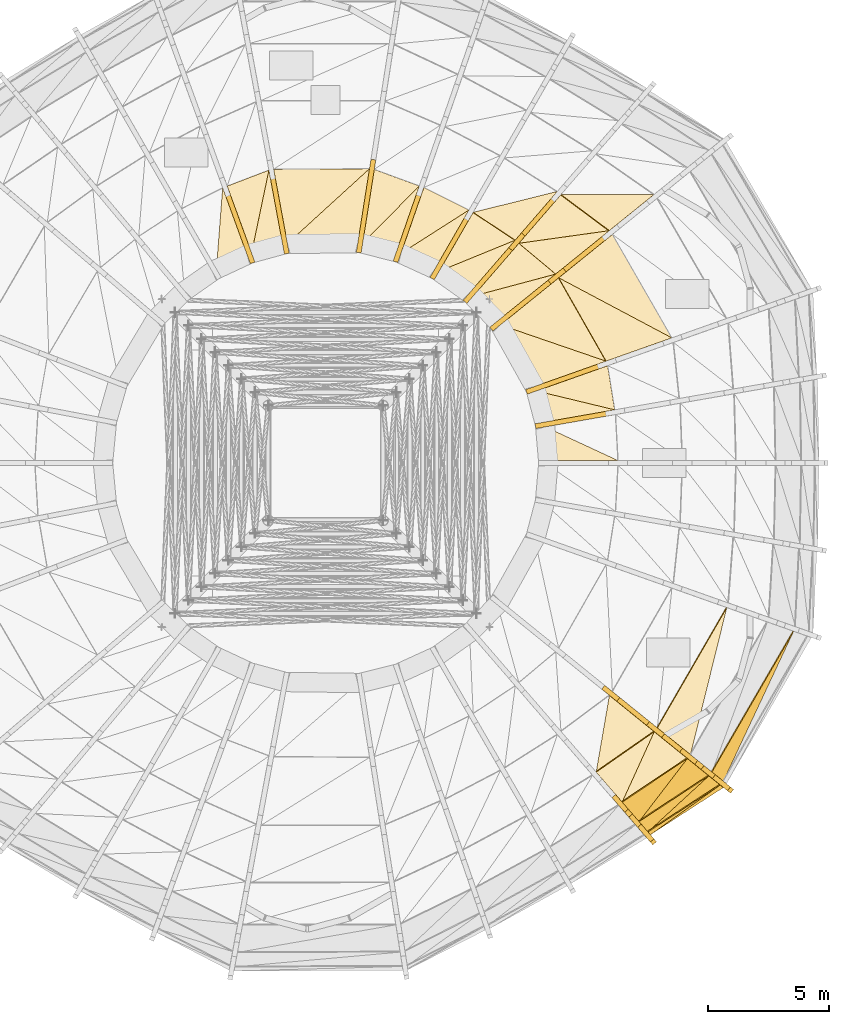
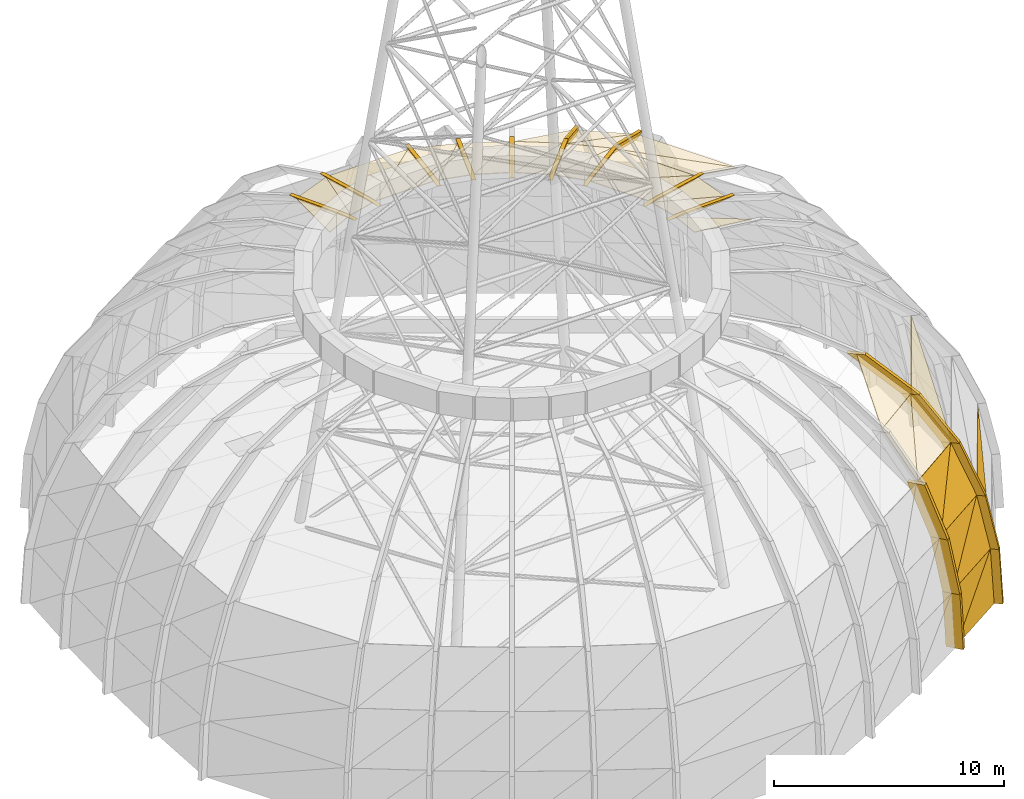
# One storey, part 22 of 27: 35 coverings, 19 shading devices.
"""IFC4 building model written with IfcOpenShell, lengths in metres."""

from ifc_helpers import new_model, si_unit, direction, frame, origin, place, context, subcontext, project, spatial, polyline, outline, extrude, material, layer, layer_set, type_object, element, save


model = new_model("IFC4")

# Units and contexts
model_context = context("Model", 3, precision=1e-05, world=origin(), true_north=direction((0.0, 1.0)))
body_context = subcontext(model_context, "Body", "Model", "MODEL_VIEW")
ifc_project = project(units=[si_unit("LENGTHUNIT", "METRE"), si_unit("AREAUNIT", "SQUARE_METRE"), si_unit("VOLUMEUNIT", "CUBIC_METRE"), si_unit("PLANEANGLEUNIT", "RADIAN"), si_unit("MASSUNIT", "GRAM", prefix="KILO")], contexts=[model_context])

# Site, building, storey
site_placement = place(None, origin())
site = spatial("IfcSite", under=ifc_project, at=site_placement, CompositionType="ELEMENT")
building_placement = place(site_placement, origin())
building = spatial("IfcBuilding", under=site, at=building_placement, Name="Ayvan Gate Tower", CompositionType="ELEMENT")
storey_placement = place(building_placement, frame((0.0, 0.0, 267.699951171875)))
storey = spatial("IfcBuildingStorey", under=building, at=storey_placement, Name="Roof", CompositionType="ELEMENT", Elevation=267.699951171875)

# Shading devices
ifc_material_1 = material(Name="Bronze anodised aluminium", Category="aluminium")
ifc_layer_1 = layer(ifc_material_1, 0.199951171875)
ifc_layer_set_1 = layer_set([ifc_layer_1], Name="Bronze anodised aluminium")
shading_device_type = type_object("IfcShadingDeviceType", Name="Crown frame rib 800 x 200", PredefinedType="USERDEFINED", material=ifc_layer_set_1)
shading_device_1_placement = place(storey_placement, frame((-2.074951171875, 11.738037109375, 13.673095703125), z_axis=(0.983259217246, 0.182186763717, 0.003048741765), x_axis=(-0.18218761042, 0.98326378689, 0.0)))
element("IfcShadingDevice", 1, at=shading_device_1_placement, inside=storey, type_object=shading_device_type, Name="CROWN FRAME rib FD07.3.1", ObjectType="FIN", PredefinedType="USERDEFINED", context=body_context, shape_type="SweptSolid", body=[
    extrude(outline(polyline([(0.0, 0.0), (0.8000102355421451, -5.421010862427522e-20), (-2.3196463779564205, 0.32690581614492714), (-3.1196566134985657, 0.32690581614492714), (0.0, 0.0)])), origin(), (0.0, 0.0, -1.0), 0.199951171875),
])
shading_device_2_placement = place(storey_placement, frame((-3.928955078125, 11.060791015625, 13.673095703125), z_axis=(0.93941746158, 0.342743927665, 0.004629570927), x_axis=(-0.342747600727, 0.939427528975, 0.0)))
element("IfcShadingDevice", 2, at=shading_device_2_placement, inside=storey, type_object=shading_device_type, Name="CROWN FRAME rib FD07.3.2", ObjectType="FIN", PredefinedType="USERDEFINED", context=body_context, shape_type="SweptSolid", body=[
    extrude(outline(polyline([(0.0, 0.0), (0.7999178441897365, -2.168404344971009e-19), (-2.13749984010104, 0.3269078001892757), (-2.937417684290776, 0.3269078001892757), (0.0, 0.0)])), origin(), (0.0, 0.0, -1.0), 0.199951171875),
])
shading_device_3_placement = place(storey_placement, frame((12.989501953125, -15.171142578125, 0.0), z_axis=(-0.756373278401, -0.65414005336, 0.000504292186), x_axis=(0.654140136535, -0.756373374581, -7.868e-09)))
element("IfcShadingDevice", 3, at=shading_device_3_placement, inside=storey, type_object=shading_device_type, Name="CROWN FRAME rib FD01.6.4", ObjectType="FIN", PredefinedType="USERDEFINED", context=body_context, shape_type="SweptSolid", body=[
    extrude(outline(polyline([(0.0, 0.0), (0.7998328942393694, 5.421010862427522e-20), (0.6432570081718851, 2.870117557512084), (-0.15692024971765892, 2.8701175449226013), (0.0, 0.0)])), origin(), (0.0, 0.0, -1.0), 0.199951171875),
])
shading_device_4_placement = place(storey_placement, frame((12.886962890625, -15.052490234375, 2.8701171875), z_axis=(-0.756514050291, -0.653977252833, 0.000494457556), x_axis=(0.653977332778, -0.756514142771, 0.0)))
element("IfcShadingDevice", 4, at=shading_device_4_placement, inside=storey, type_object=shading_device_type, Name="CROWN FRAME rib FD02.6.4", ObjectType="FIN", PredefinedType="USERDEFINED", context=body_context, shape_type="SweptSolid", body=[
    extrude(outline(polyline([(0.0, 0.0), (0.8000175742364785, -2.710505431213761e-20), (0.24032087193200036, 2.7768558082043633), (-0.5596967023044781, 2.7768558082043633), (0.0, 0.0)])), origin(), (0.0, 0.0, -1.0), 0.199951171875),
])
shading_device_5_placement = place(storey_placement, frame((12.520751953125, -14.629150390625, 5.64697265625), z_axis=(-0.756297768107, -0.654227320888, 0.000546407095), x_axis=(0.654227418529, -0.756297881027, -5.4534e-08)))
element("IfcShadingDevice", 5, at=shading_device_5_placement, inside=storey, type_object=shading_device_type, Name="CROWN FRAME rib FD03.6.4", ObjectType="FIN", PredefinedType="USERDEFINED", context=body_context, shape_type="SweptSolid", body=[
    extrude(outline(polyline([(0.0, 0.0), (0.8001772540015586, 0.0), (-0.2621558601697351, 2.6601566328127078), (-1.0621484711339337, 2.6601565455487286), (0.0, 0.0)])), origin(), (0.0, 0.0, -1.0), 0.199951171875),
])
shading_device_6_placement = place(storey_placement, frame((16.104736328125, -13.1416015625, 0.0), z_axis=(-0.628464871118, -0.777837803584, 0.000507037056), x_axis=(0.777837903589, -0.628464951879, 6.0181e-08)))
element("IfcShadingDevice", 6, at=shading_device_6_placement, inside=storey, type_object=shading_device_type, Name="CROWN FRAME rib FD01.6.5", ObjectType="FIN", PredefinedType="USERDEFINED", context=body_context, shape_type="SweptSolid", body=[
    extrude(outline(polyline([(0.0, 0.0), (0.7999800176189474, 0.0), (0.6319018337341318, 2.870117518405865), (-0.16823161771095818, 2.8701176147023646), (0.0, 0.0)])), origin(), (0.0, 0.0, -1.0), 0.199951171875),
])
shading_device_7_placement = place(storey_placement, frame((15.973876953125, -13.035888671875, 2.8701171875), z_axis=(-0.628557153253, -0.777763195942, 0.00056225702), x_axis=(0.77776331888, -0.628557252606, 0.0)))
element("IfcShadingDevice", 7, at=shading_device_7_placement, inside=storey, type_object=shading_device_type, Name="CROWN FRAME rib FD02.6.5", ObjectType="FIN", PredefinedType="USERDEFINED", context=body_context, shape_type="SweptSolid", body=[
    extrude(outline(polyline([(0.0, 0.0), (0.8001334570789522, 2.710505431213761e-20), (0.19963480606936765, 2.7768559076778687), (-0.6004986510095845, 2.7768559076778687), (0.0, 0.0)])), origin(), (0.0, 0.0, -1.0), 0.199951171875),
])
shading_device_8_placement = place(storey_placement, frame((15.5068359375, -12.658447265625, 5.64697265625), z_axis=(-0.628464849032, -0.777837776248, 0.000572163919), x_axis=(0.777837903545, -0.628464951933, -6.7898e-08)))
element("IfcShadingDevice", 8, at=shading_device_8_placement, inside=storey, type_object=shading_device_type, Name="CROWN FRAME rib FD03.6.5", ObjectType="FIN", PredefinedType="USERDEFINED", context=body_context, shape_type="SweptSolid", body=[
    extrude(outline(polyline([(0.0, 0.0), (0.8001334514450962, 8.131516293641283e-20), (-0.33958268862008534, 2.660156662372854), (-1.1395627062390257, 2.6601565537282954), (0.0, 0.0)])), origin(), (0.0, 0.0, -1.0), 0.199951171875),
])
shading_device_9_placement = place(storey_placement, frame((14.620361328125, -11.942138671875, 8.30712890625), z_axis=(-0.628631768275, -0.777702942451, 0.000482926444), x_axis=(0.777703033152, -0.628631841562, 4.6315e-08)))
element("IfcShadingDevice", 9, at=shading_device_9_placement, inside=storey, type_object=shading_device_type, Name="CROWN FRAME rib FD04.6.5", ObjectType="FIN", PredefinedType="USERDEFINED", context=body_context, shape_type="SweptSolid", body=[
    extrude(outline(polyline([(0.0, 0.0), (0.8001334533991852, 2.710505431213761e-20), (-0.957459157067815, 2.3798831343608073), (-1.7574027415624218, 2.379883208468942), (0.0, 0.0)])), origin(), (0.0, 0.0, -1.0), 0.199951171875),
])
shading_device_10_placement = place(storey_placement, frame((13.25341796875, -10.837646484375, 10.68701171875), z_axis=(-0.628372342371, -0.777912142158, 0.000947852982), x_axis=(0.777912491607, -0.628372624644, 0.0)))
element("IfcShadingDevice", 10, at=shading_device_10_placement, inside=storey, type_object=shading_device_type, Name="CROWN FRAME rib FD05.6.5", ObjectType="FIN", PredefinedType="USERDEFINED", context=body_context, shape_type="SweptSolid", body=[
    extrude(outline(polyline([(0.0, 0.0), (0.7999800232538845, 5.421010862427522e-20), (-1.580675227188827, 1.8659676350914318), (-2.3806552504427114, 1.8659676350914318), (0.0, 0.0)])), origin(), (0.0, 0.0, -1.0), 0.199951171875),
])
shading_device_11_placement = place(storey_placement, frame((11.578125, 1.930908203125, 13.673095703125), z_axis=(0.172756849107, -0.9849582192, 0.003518169523), x_axis=(0.984964314925, 0.172757918267, 0.0)))
element("IfcShadingDevice", 11, at=shading_device_11_placement, inside=storey, type_object=shading_device_type, Name="CROWN FRAME rib FD07.1.4", ObjectType="FIN", PredefinedType="USERDEFINED", context=body_context, shape_type="SweptSolid", body=[
    extrude(outline(polyline([(0.0, 0.0), (0.7998683657233193, 0.0), (-2.1376553117618204, 0.3269063200254933), (-2.937523677485139, 0.3269063200254933), (0.0, 0.0)])), origin(), (0.0, 0.0, -1.0), 0.199951171875),
])
shading_device_12_placement = place(storey_placement, frame((11.26953125, 3.8837890625, 13.673095703125), z_axis=(0.333569194693, -0.942722088203, 0.002580070804), x_axis=(0.942725225959, 0.333570304944, 0.0)))
element("IfcShadingDevice", 12, at=shading_device_12_placement, inside=storey, type_object=shading_device_type, Name="CROWN FRAME rib FD07.1.5", ObjectType="FIN", PredefinedType="USERDEFINED", context=body_context, shape_type="SweptSolid", body=[
    extrude(outline(polyline([(0.0, 0.0), (0.7999683999734712, 1.0842021724855044e-19), (-2.3195840233383764, 0.3269053849430311), (-3.119552423311848, 0.3269053849430311), (0.0, 0.0)])), origin(), (0.0, 0.0, -1.0), 0.199951171875),
])
shading_device_13_placement = place(storey_placement, frame((11.52734375, 9.18603515625, 12.552978515625), z_axis=(0.62846447897, -0.77783731823, 0.001226801195), x_axis=(0.777837903682, 0.628464951764, -1.45611e-07)))
element("IfcShadingDevice", 13, at=shading_device_13_placement, inside=storey, type_object=shading_device_type, Name="CROWN FRAME rib FD06.2.1", ObjectType="FIN", PredefinedType="USERDEFINED", context=body_context, shape_type="SweptSolid", body=[
    extrude(outline(polyline([(0.0, 0.0), (0.7999800176189547, 0.0), (-2.0497218643603863, 1.1201177319501376), (-2.8498553158054554, 1.1201174989560017), (0.0, 0.0)])), origin(), (0.0, 0.0, -1.0), 0.199951171875),
])
shading_device_14_placement = place(storey_placement, frame((9.310791015625, 7.394775390625, 13.673095703125), z_axis=(0.628619203707, -0.777687398373, 0.006340910263), x_axis=(0.777703035562, 0.62863183858, -6.08117e-07)))
element("IfcShadingDevice", 14, at=shading_device_14_placement, inside=storey, type_object=shading_device_type, Name="CROWN FRAME rib FD07.2.1", ObjectType="FIN", PredefinedType="USERDEFINED", context=body_context, shape_type="SweptSolid", body=[
    extrude(outline(polyline([(0.0, 0.0), (0.8001334533993323, -4.336808689942018e-19), (-2.2896650801358933, 0.32690947660574426), (-3.089608664630059, 0.3269085035527286), (0.0, 0.0)])), origin(), (0.0, 0.0, -1.0), 0.199951171875),
])
shading_device_15_placement = place(storey_placement, frame((9.453857421875, 10.77783203125, 12.552978515625), z_axis=(0.756382760295, -0.654127625227, 0.001473038651), x_axis=(0.654128334905, 0.756383580912, 0.0)))
element("IfcShadingDevice", 15, at=shading_device_15_placement, inside=storey, type_object=shading_device_type, Name="CROWN FRAME rib FD06.2.2", ObjectType="FIN", PredefinedType="USERDEFINED", context=body_context, shape_type="SweptSolid", body=[
    extrude(outline(polyline([(0.0, 0.0), (0.7998328943367281, -1.0842021724855044e-19), (-1.8564065964349703, 1.1201184027411222), (-2.6562394907716986, 1.1201184027411222), (0.0, 0.0)])), origin(), (0.0, 0.0, -1.0), 0.199951171875),
])
shading_device_16_placement = place(storey_placement, frame((7.716064453125, 8.7685546875, 13.673095703125), z_axis=(0.756291949991, -0.654222287989, 0.003960338117), x_axis=(0.654227417367, 0.756297882031, 3.95259e-07)))
element("IfcShadingDevice", 16, at=shading_device_16_placement, inside=storey, type_object=shading_device_type, Name="CROWN FRAME rib FD07.2.2", ObjectType="FIN", PredefinedType="USERDEFINED", context=body_context, shape_type="SweptSolid", body=[
    extrude(outline(polyline([(0.0, 0.0), (0.8001772540016201, -2.168404344971009e-19), (-2.0796942968272427, 0.3269076825578629), (-2.8796869077912577, 0.3269083150439096), (0.0, 0.0)])), origin(), (0.0, 0.0, -1.0), 0.199951171875),
])
shading_device_17_placement = place(storey_placement, frame((5.890625, 10.0029296875, 13.673095703125), z_axis=(0.866080811054, -0.499873279953, 0.005543709227), x_axis=(0.499880961361, 0.866094119867, 0.0)))
element("IfcShadingDevice", 17, at=shading_device_17_placement, inside=storey, type_object=shading_device_type, Name="CROWN FRAME rib FD07.2.3", ObjectType="FIN", PredefinedType="USERDEFINED", context=body_context, shape_type="SweptSolid", body=[
    extrude(outline(polyline([(0.0, 0.0), (0.7999951481672026, 0.0), (-2.0080810381689798, 0.3269093203185916), (-2.8080761863361827, 0.3269093203185916), (0.0, 0.0)])), origin(), (0.0, 0.0, -1.0), 0.199951171875),
])
shading_device_18_placement = place(storey_placement, frame((3.924560546875, 11.001220703125, 13.673095703125), z_axis=(0.944651832563, -0.328057089325, 0.003385465747), x_axis=(0.328058969876, 0.944657245928, -1.6949e-07)))
element("IfcShadingDevice", 18, at=shading_device_18_placement, inside=storey, type_object=shading_device_type, Name="CROWN FRAME rib FD07.2.4", ObjectType="FIN", PredefinedType="USERDEFINED", context=body_context, shape_type="SweptSolid", body=[
    extrude(outline(polyline([(0.0, 0.0), (0.7998968673738274, 1.0842021724855044e-19), (-2.0798216514562773, 0.32690581776716443), (-2.879949148040536, 0.3269055465775857), (0.0, 0.0)])), origin(), (0.0, 0.0, -1.0), 0.199951171875),
])
shading_device_19_placement = place(storey_placement, frame((1.9462890625, 11.729736328125, 13.673095703125), z_axis=(0.987831975323, -0.155483593274, 0.00358339941), x_axis=(0.155484589634, 0.987838317938, 5.40134e-07)))
element("IfcShadingDevice", 19, at=shading_device_19_placement, inside=storey, type_object=shading_device_type, Name="CROWN FRAME rib FD07.2.5", ObjectType="FIN", PredefinedType="USERDEFINED", context=body_context, shape_type="SweptSolid", body=[
    extrude(outline(polyline([(0.0, 0.0), (0.7999937234590224, 0.0), (-2.2897479025317065, 0.3269076325230239), (-3.08977958609562, 0.3269084967572103), (0.0, 0.0)])), origin(), (0.0, 0.0, -1.0), 0.199951171875),
])

# Coverings
ifc_material_2 = material(Name="Pale metal cladding")
ifc_layer_2 = layer(ifc_material_2, 0.0400390625)
ifc_layer_set_2 = layer_set([ifc_layer_2], Name="Pale metal cladding")
covering_type = type_object("IfcCoveringType", Name="Dome cladding panel 40", PredefinedType="CLADDING", material=ifc_layer_set_2)
covering_1_placement = place(storey_placement, frame((13.4130859375, -15.359619140625, 0.001220703125), z_axis=(0.542381189834, -0.838293391701, 0.055559286761), x_axis=(0.839590231237, 0.543220253314, 0.0)))
element("IfcCovering", 20, at=covering_1_placement, inside=storey, type_object=covering_type, Name="Dome cladding panel 12.1A", PredefinedType="CLADDING", context=body_context, shape_type="SweptSolid", body=[
    extrude(outline(polyline([(0.0, 0.0), (3.5891648357251764, -1.3877787807814457e-17), (3.5369269441170834, 2.874557257623925), (0.0, 0.0)])), origin(), (0.0, 0.0, -1.0), 0.0400390625),
])
covering_2_placement = place(storey_placement, frame((13.413330078125, -15.359619140625, 0.0009765625), z_axis=(0.543509867925, -0.837665574109, 0.053976007823), x_axis=(0.632510152177, 0.450974167613, 0.62972470774)))
element("IfcCovering", 21, at=covering_2_placement, inside=storey, type_object=covering_type, Name="Dome cladding panel 12.1B", PredefinedType="CLADDING", context=body_context, shape_type="SweptSolid", body=[
    extrude(outline(polyline([(0.0, 0.0), (4.5577331685147815, 4.440892098500626e-16), (1.7959257498949894, 2.2442722946988183), (0.0, 0.0)])), origin(), (0.0, 0.0, -1.0), 0.0400390625),
])
covering_3_placement = place(storey_placement, frame((13.310546875, -15.24072265625, 2.8740234375), z_axis=(0.53314937946, -0.821697833632, 0.201406080806), x_axis=(0.838888478262, 0.544303335503, 0.0)))
element("IfcCovering", 22, at=covering_3_placement, inside=storey, type_object=covering_type, Name="Dome cladding panel 12.2A", PredefinedType="CLADDING", context=body_context, shape_type="SweptSolid", body=[
    extrude(outline(polyline([(0.0, 0.0), (3.558698968765976, -5.551115123125783e-17), (3.3721414515038513, 2.8349497384404083), (0.0, 0.0)])), origin(), (0.0, 0.0, -1.0), 0.0400390625),
])
covering_4_placement = place(storey_placement, frame((13.310546875, -15.24072265625, 2.8740234375), z_axis=(0.537685558039, -0.820064185731, 0.195931038783), x_axis=(0.571575594957, 0.525357440391, 0.630318093566)))
element("IfcCovering", 23, at=covering_4_placement, inside=storey, type_object=covering_type, Name="Dome cladding panel 12.2B", PredefinedType="CLADDING", context=body_context, shape_type="SweptSolid", body=[
    extrude(outline(polyline([(0.0, 0.0), (4.405482719116469, 0.0), (1.7633897474165832, 2.216914515060011), (0.0, 0.0)])), origin(), (0.0, 0.0, -1.0), 0.0400390625),
])
covering_5_placement = place(storey_placement, frame((12.94384765625, -14.81640625, 5.654541015625), z_axis=(0.507708943617, -0.774344624308, 0.377653321682), x_axis=(0.836273101268, 0.548313140547, 0.0)))
element("IfcCovering", 24, at=covering_5_placement, inside=storey, type_object=covering_type, Name="Dome cladding panel 12.3A", PredefinedType="CLADDING", context=body_context, shape_type="SweptSolid", body=[
    extrude(outline(polyline([(0.0, 0.0), (3.4489658215455976, -1.1102230246251565e-16), (3.1005965336458434, 2.8729031586329588), (0.0, 0.0)])), origin(), (0.0, 0.0, -1.0), 0.0400390625),
])
covering_6_placement = place(storey_placement, frame((12.94384765625, -14.81640625, 5.654296875), z_axis=(0.517408126562, -0.772365900118, 0.368428754174), x_axis=(0.47269015306, 0.616853718803, 0.629329411992)))
element("IfcCovering", 25, at=covering_6_placement, inside=storey, type_object=covering_type, Name="Dome cladding panel 12.3B", PredefinedType="CLADDING", context=body_context, shape_type="SweptSolid", body=[
    extrude(outline(polyline([(0.0, 0.0), (4.226969531867937, -2.220446049250313e-16), (1.8412994838964298, 2.1941711586972708), (0.0, 0.0)])), origin(), (0.0, 0.0, -1.0), 0.0400390625),
])
covering_7_placement = place(storey_placement, frame((12.247802734375, -14.01123046875, 8.318603515625), z_axis=(0.454814420897, -0.678928550886, 0.576367821218), x_axis=(0.830808289728, 0.556558699257, 0.0)))
element("IfcCovering", 26, at=covering_7_placement, inside=storey, type_object=covering_type, Name="Dome cladding panel 12.4A", PredefinedType="CLADDING", context=body_context, shape_type="SweptSolid", body=[
    extrude(outline(polyline([(0.0, 0.0), (3.2412665196566754, 2.220446049250313e-16), (2.7201105462579687, 2.9122745929991805), (0.0, 0.0)])), origin(), (0.0, 0.0, -1.0), 0.0400390625),
])
covering_8_placement = place(storey_placement, frame((12.248291015625, -14.010986328125, 8.318359375), z_axis=(0.471575721064, -0.677157356702, 0.564866580325), x_axis=(0.332667151306, 0.729845998805, 0.597207990964)))
element("IfcCovering", 27, at=covering_8_placement, inside=storey, type_object=covering_type, Name="Dome cladding panel 12.4B", PredefinedType="CLADDING", context=body_context, shape_type="SweptSolid", body=[
    extrude(outline(polyline([(0.0, 0.0), (3.9850150173985996, -2.220446049250313e-16), (1.9691103058504884, 2.114186625896304), (0.0, 0.0)])), origin(), (0.0, 0.0, -1.0), 0.0400390625),
])
covering_9_placement = place(storey_placement, frame((11.174560546875, -12.76904296875, 10.702392578125), z_axis=(0.361368090212, -0.518905129832, 0.774693855411), x_axis=(0.820615514143, 0.571480689042, 0.0)))
element("IfcCovering", 28, at=covering_9_placement, inside=storey, type_object=covering_type, Name="Dome cladding panel 12.5A", PredefinedType="CLADDING", context=body_context, shape_type="SweptSolid", body=[
    extrude(outline(polyline([(0.0, 0.0), (2.921242354745781, -2.220446049250313e-16), (2.2569496506156734, 2.950908006801598), (0.0, 0.0)])), origin(), (0.0, 0.0, -1.0), 0.0400390625),
])
covering_10_placement = place(storey_placement, frame((16.427490234375, -13.1416015625, 2.874267578125), z_axis=(0.845774856004, -0.490910500293, 0.208977926234), x_axis=(0.393768646832, 0.838627948346, 0.376363410846)))
element("IfcCovering", 29, at=covering_10_placement, inside=storey, type_object=covering_type, Name="Dome cladding panel 13.2B", PredefinedType="CLADDING", context=body_context, shape_type="SweptSolid", body=[
    extrude(outline(polyline([(0.0, 0.0), (7.378122816202632, -4.440892098500626e-16), (1.1777335990528566, 2.5854321088392163), (0.0, 0.0)])), origin(), (0.0, 0.0, -1.0), 0.0400390625),
])
covering_11_placement = place(storey_placement, frame((15.0712890625, -12.046142578125, 8.31884765625), z_axis=(0.699538350939, -0.404060010169, 0.589390875181), x_axis=(0.224345173463, 0.907269688974, 0.355711898328)))
element("IfcCovering", 30, at=covering_11_placement, inside=storey, type_object=covering_type, Name="Dome cladding panel 13.4B", PredefinedType="CLADDING", context=body_context, shape_type="SweptSolid", body=[
    extrude(outline(polyline([(0.0, 0.0), (6.69047851277416, -6.661338147750939e-16), (1.5419029996156564, 2.5249716817053485), (0.0, 0.0)])), origin(), (0.0, 0.0, -1.0), 0.0400390625),
])
covering_12_placement = place(storey_placement, frame((12.07861328125, 0.100341796875, 13.69287109375), z_axis=(0.112915594113, 0.00982219128, 0.993556034235), x_axis=(-0.902562336354, 0.419157064823, 0.098430605015)))
element("IfcCovering", 31, at=covering_12_placement, inside=storey, type_object=covering_type, Name="Dome cladding panel 16.7B", PredefinedType="CLADDING", context=body_context, shape_type="SweptSolid", body=[
    extrude(outline(polyline([(0.0, 0.0), (3.3211651683335046, -7.28583859910259e-17), (2.628366217539871, 1.2135103803182743), (0.0, 0.0)])), origin(), (0.0, 0.0, -1.0), 0.0400390625),
])
covering_13_placement = place(storey_placement, frame((11.939697265625, 2.197265625, 13.69287109375), z_axis=(0.104615579225, 0.016713233381, 0.994372288639), x_axis=(-0.157758022836, 0.987477800374, 0.0)))
element("IfcCovering", 32, at=covering_13_placement, inside=storey, type_object=covering_type, Name="Dome cladding panel 17.7A", PredefinedType="CLADDING", context=body_context, shape_type="SweptSolid", body=[
    extrude(outline(polyline([(0.0, 0.0), (1.8431486345174786, 0.0), (1.2791222190617884, 3.085685118801708), (0.0, 0.0)])), origin(), (0.0, 0.0, -1.0), 0.0400390625),
])
covering_14_placement = place(storey_placement, frame((11.939697265625, 2.197509765625, 13.69287109375), z_axis=(0.107334674061, 0.028223460112, 0.993822269847), x_axis=(-0.967484696745, 0.233228349876, 0.097866737852)))
element("IfcCovering", 33, at=covering_14_placement, inside=storey, type_object=covering_type, Name="Dome cladding panel 17.7B", PredefinedType="CLADDING", context=body_context, shape_type="SweptSolid", body=[
    extrude(outline(polyline([(0.0, 0.0), (3.3403003313612185, -3.469446951953614e-18), (2.712790462736354, 1.1733515161350312), (0.0, 0.0)])), origin(), (0.0, 0.0, -1.0), 0.0400390625),
])
covering_15_placement = place(storey_placement, frame((14.298828125, 5.169677734375, 12.571533203125), z_axis=(0.320651616224, 0.18423492691, 0.929107115848), x_axis=(-0.498187093702, 0.867069558726, 0.0)))
element("IfcCovering", 34, at=covering_15_placement, inside=storey, type_object=covering_type, Name="Dome cladding panel 18.6A", PredefinedType="CLADDING", context=body_context, shape_type="SweptSolid", body=[
    extrude(outline(polyline([(0.0, 0.0), (4.926064110302336, 0.0), (4.4773869474374575, 3.028893248451629), (0.0, 0.0)])), origin(), (0.0, 0.0, -1.0), 0.0400390625),
])
covering_16_placement = place(storey_placement, frame((14.298828125, 5.169677734375, 12.571533203125), z_axis=(0.319618505096, 0.181923079008, 0.929918278412), x_axis=(-0.864029932884, 0.458819721299, 0.207211820191)))
element("IfcCovering", 35, at=covering_16_placement, inside=storey, type_object=covering_type, Name="Dome cladding panel 18.6B", PredefinedType="CLADDING", context=body_context, shape_type="SweptSolid", body=[
    extrude(outline(polyline([(0.0, 0.0), (5.405662603936651, 1.1102230246251565e-16), (2.1351373099395636, 2.2304644018397797), (0.0, 0.0)])), origin(), (0.0, 0.0, -1.0), 0.0400390625),
])
covering_17_placement = place(storey_placement, frame((11.58203125, 4.206787109375, 13.69287109375), z_axis=(0.092647176107, 0.052733678651, 0.994301594032), x_axis=(-0.494670437801, 0.869080639507, 0.0)))
element("IfcCovering", 36, at=covering_17_placement, inside=storey, type_object=covering_type, Name="Dome cladding panel 18.7A", PredefinedType="CLADDING", context=body_context, shape_type="SweptSolid", body=[
    extrude(outline(polyline([(0.0, 0.0), (3.9587001839681197, 2.220446049250313e-16), (3.459767984903677, 3.0665391793329695), (0.0, 0.0)])), origin(), (0.0, 0.0, -1.0), 0.0400390625),
])
covering_18_placement = place(storey_placement, frame((11.58203125, 4.206787109375, 13.69287109375), z_axis=(0.092264837457, 0.051600194591, 0.994396610859), x_axis=(-0.943364097328, 0.324136186151, 0.070710060811)))
element("IfcCovering", 37, at=covering_18_placement, inside=storey, type_object=covering_type, Name="Dome cladding panel 18.7B", PredefinedType="CLADDING", context=body_context, shape_type="SweptSolid", body=[
    extrude(outline(polyline([(0.0, 0.0), (4.62316526286359, -1.97758476261356e-16), (2.4599618783950987, 1.9464517395980439), (0.0, 0.0)])), origin(), (0.0, 0.0, -1.0), 0.0400390625),
])
covering_19_placement = place(storey_placement, frame((13.572021484375, 11.09912109375, 10.70263671875), z_axis=(0.375714294965, 0.504467199591, 0.777400548685), x_axis=(-0.899837327607, -0.002054683737, 0.436220772225)))
element("IfcCovering", 38, at=covering_19_placement, inside=storey, type_object=covering_type, Name="Dome cladding panel 19.5B", PredefinedType="CLADDING", context=body_context, shape_type="SweptSolid", body=[
    extrude(outline(polyline([(0.0, 0.0), (4.277574374456951, 0.0), (2.48337271695162, 1.727109421236304), (0.0, 0.0)])), origin(), (0.0, 0.0, -1.0), 0.0400390625),
])
covering_20_placement = place(storey_placement, frame((11.71728515625, 9.59912109375, 12.5712890625), z_axis=(0.232620419622, 0.312336722949, 0.921050222231), x_axis=(-0.802007138749, 0.597314447671, 0.0)))
element("IfcCovering", 39, at=covering_20_placement, inside=storey, type_object=covering_type, Name="Dome cladding panel 19.6A", PredefinedType="CLADDING", context=body_context, shape_type="SweptSolid", body=[
    extrude(outline(polyline([(0.0, 0.0), (2.49039485638685, 2.220446049250313e-16), (2.6838968623903527, 2.8761971122965106), (0.0, 0.0)])), origin(), (0.0, 0.0, -1.0), 0.0400390625),
])
covering_21_placement = place(storey_placement, frame((11.717529296875, 9.598388671875, 12.571533203125), z_axis=(0.238560001025, 0.285308585841, 0.928271585667), x_axis=(-0.949397280172, -0.132560634753, 0.284732299741)))
element("IfcCovering", 40, at=covering_21_placement, inside=storey, type_object=covering_type, Name="Dome cladding panel 19.6B", PredefinedType="CLADDING", context=body_context, shape_type="SweptSolid", body=[
    extrude(outline(polyline([(0.0, 0.0), (3.93393088357327, 5.551115123125783e-17), (2.660740848251812, 1.5152437577619546), (0.0, 0.0)])), origin(), (0.0, 0.0, -1.0), 0.0400390625),
])
covering_22_placement = place(storey_placement, frame((9.49755859375, 7.803466796875, 13.69287109375), z_axis=(0.0723608386, 0.086540779856, 0.993616929435), x_axis=(-0.767158542203, 0.641457536494, 0.0)))
element("IfcCovering", 41, at=covering_22_placement, inside=storey, type_object=covering_type, Name="Dome cladding panel 19.7A", PredefinedType="CLADDING", context=body_context, shape_type="SweptSolid", body=[
    extrude(outline(polyline([(0.0, 0.0), (1.9791352938792295, 0.0), (2.0270628258713517, 2.897910375285598), (0.0, 0.0)])), origin(), (0.0, 0.0, -1.0), 0.0400390625),
])
covering_23_placement = place(storey_placement, frame((9.49755859375, 7.80322265625, 13.69287109375), z_axis=(0.075939222342, 0.073427055252, 0.994405200141), x_axis=(-0.96199482934, -0.256946161091, 0.092437106314)))
element("IfcCovering", 42, at=covering_23_placement, inside=storey, type_object=covering_type, Name="Dome cladding panel 19.7B", PredefinedType="CLADDING", context=body_context, shape_type="SweptSolid", body=[
    extrude(outline(polyline([(0.0, 0.0), (3.5365050888154355, 2.740863092043355e-16), (2.840927284146976, 1.2576677000848393), (0.0, 0.0)])), origin(), (0.0, 0.0, -1.0), 0.0400390625),
])
covering_24_placement = place(storey_placement, frame((9.568603515625, 11.2177734375, 12.5712890625), z_axis=(0.215754745693, 0.326455893142, 0.920258898106), x_axis=(-0.926268657646, -0.229809415342, 0.298687138128)))
element("IfcCovering", 43, at=covering_24_placement, inside=storey, type_object=covering_type, Name="Dome cladding panel 20.6B", PredefinedType="CLADDING", context=body_context, shape_type="SweptSolid", body=[
    extrude(outline(polyline([(0.0, 0.0), (3.750135323943822, 1.1102230246251565e-16), (2.405922503345901, 1.588187090717696), (0.0, 0.0)])), origin(), (0.0, 0.0, -1.0), 0.0400390625),
])
covering_25_placement = place(storey_placement, frame((7.82763671875, 9.2041015625, 13.69287109375), z_axis=(0.063871380213, 0.096643011984, 0.993267625076), x_axis=(-0.834264000049, 0.551365194969, 0.0)))
element("IfcCovering", 44, at=covering_25_placement, inside=storey, type_object=covering_type, Name="Dome cladding panel 20.7A", PredefinedType="CLADDING", context=body_context, shape_type="SweptSolid", body=[
    extrude(outline(polyline([(0.0, 0.0), (2.0806841043710023, -1.1102230246251565e-16), (1.911178136889321, 2.8219783380614945), (0.0, 0.0)])), origin(), (0.0, 0.0, -1.0), 0.0400390625),
])
covering_26_placement = place(storey_placement, frame((7.82763671875, 9.2041015625, 13.69287109375), z_axis=(0.065671811966, 0.092317342231, 0.993561634443), x_axis=(-0.92126257748, -0.376928985515, 0.095915604638)))
element("IfcCovering", 45, at=covering_26_placement, inside=storey, type_object=covering_type, Name="Dome cladding panel 20.7B", PredefinedType="CLADDING", context=body_context, shape_type="SweptSolid", body=[
    extrude(outline(polyline([(0.0, 0.0), (3.4082493470126343, 8.326672684688674e-17), (2.5878548464867825, 1.3050627896870115), (0.0, 0.0)])), origin(), (0.0, 0.0, -1.0), 0.0400390625),
])
covering_27_placement = place(storey_placement, frame((5.91845703125, 10.451416015625, 13.69287109375), z_axis=(0.050807661345, 0.101735403822, 0.993513205326), x_axis=(-0.894638284565, 0.446791159033, 0.0)))
element("IfcCovering", 46, at=covering_27_placement, inside=storey, type_object=covering_type, Name="Dome cladding panel 21.7A", PredefinedType="CLADDING", context=body_context, shape_type="SweptSolid", body=[
    extrude(outline(polyline([(0.0, 0.0), (2.0808099739765873, -1.1102230246251565e-16), (1.710281372102096, 2.874722941934348), (0.0, 0.0)])), origin(), (0.0, 0.0, -1.0), 0.0400390625),
])
covering_28_placement = place(storey_placement, frame((5.91845703125, 10.45166015625, 13.69287109375), z_axis=(0.048284505718, 0.105637301461, 0.993231779117), x_axis=(-0.838906919472, -0.535429020467, 0.097728933807)))
element("IfcCovering", 47, at=covering_28_placement, inside=storey, type_object=covering_type, Name="Dome cladding panel 21.7B", PredefinedType="CLADDING", context=body_context, shape_type="SweptSolid", body=[
    extrude(outline(polyline([(0.0, 0.0), (3.345010368390971, -1.5959455978986625e-16), (2.5119192405092394, 1.2971336641455649), (0.0, 0.0)])), origin(), (0.0, 0.0, -1.0), 0.0400390625),
])
covering_29_placement = place(storey_placement, frame((3.86767578125, 11.446533203125, 13.69287109375), z_axis=(0.036850884607, 0.100698415115, 0.994234299095), x_axis=(-0.939092754324, 0.343663787409, 0.0)))
element("IfcCovering", 48, at=covering_29_placement, inside=storey, type_object=covering_type, Name="Dome cladding panel 22.7A", PredefinedType="CLADDING", context=body_context, shape_type="SweptSolid", body=[
    extrude(outline(polyline([(0.0, 0.0), (1.9791895630833836, 0.0), (1.381073193112255, 3.0486423863005294), (0.0, 0.0)])), origin(), (0.0, 0.0, -1.0), 0.0400390625),
])
covering_30_placement = place(storey_placement, frame((3.867431640625, 11.44677734375, 13.69287109375), z_axis=(0.027472933953, 0.109853258315, 0.993568064874), x_axis=(-0.698747896898, -0.708668526815, 0.097674437201)))
element("IfcCovering", 49, at=covering_30_placement, inside=storey, type_object=covering_type, Name="Dome cladding panel 22.7B", PredefinedType="CLADDING", context=body_context, shape_type="SweptSolid", body=[
    extrude(outline(polyline([(0.0, 0.0), (3.346876687940783, 1.3877787807814457e-16), (2.619857196975313, 1.239493161106298), (0.0, 0.0)])), origin(), (0.0, 0.0, -1.0), 0.0400390625),
])
covering_31_placement = place(storey_placement, frame((1.810791015625, 12.158203125, 13.69287109375), z_axis=(-0.00065937991, 0.105853325422, 0.994381535788), x_axis=(-0.999980599194, -0.006229063804, 0.0)))
element("IfcCovering", 50, at=covering_31_placement, inside=storey, type_object=covering_type, Name="Dome cladding panel 23.7A", PredefinedType="CLADDING", context=body_context, shape_type="SweptSolid", body=[
    extrude(outline(polyline([(0.0, 0.0), (3.9585728932552655, 0.0), (3.409087332247293, 3.088216202593435), (0.0, 0.0)])), origin(), (0.0, 0.0, -1.0), 0.0400390625),
])
covering_32_placement = place(storey_placement, frame((1.810791015625, 12.158203125, 13.69287109375), z_axis=(-0.00145947291, 0.106720598835, 0.994287978265), x_axis=(-0.736951353677, -0.672199416227, 0.071067905119)))
element("IfcCovering", 51, at=covering_32_placement, inside=storey, type_object=covering_type, Name="Dome cladding panel 23.7B", PredefinedType="CLADDING", context=body_context, shape_type="SweptSolid", body=[
    extrude(outline(polyline([(0.0, 0.0), (4.599886493474549, -1.97758476261356e-16), (2.4286727021373893, 1.93778295802229), (0.0, 0.0)])), origin(), (0.0, 0.0, -1.0), 0.0400390625),
])
covering_33_placement = place(storey_placement, frame((-2.34521484375, 12.096923828125, 13.69287109375), z_axis=(-0.039514187688, 0.103320004293, 0.993862971281), x_axis=(-0.934023243084, -0.357212235763, 0.0)))
element("IfcCovering", 52, at=covering_33_placement, inside=storey, type_object=covering_type, Name="Dome cladding panel 24.7A", PredefinedType="CLADDING", context=body_context, shape_type="SweptSolid", body=[
    extrude(outline(polyline([(0.0, 0.0), (1.8432942651565802, 0.0), (1.8886209366277211, 2.9552477628681824), (0.0, 0.0)])), origin(), (0.0, 0.0, -1.0), 0.0400390625),
])
covering_34_placement = place(storey_placement, frame((-2.344970703125, 12.096923828125, 13.69287109375), z_axis=(-0.027551261929, 0.100880595558, 0.994516984976), x_axis=(-0.203822389518, -0.97456060562, 0.09320976078)))
element("IfcCovering", 53, at=covering_34_placement, inside=storey, type_object=covering_type, Name="Dome cladding panel 24.7B", PredefinedType="CLADDING", context=body_context, shape_type="SweptSolid", body=[
    extrude(outline(polyline([(0.0, 0.0), (3.5071895275570673, -9.194034422677078e-17), (2.903877234159331, 1.1860811113444225), (0.0, 0.0)])), origin(), (0.0, 0.0, -1.0), 0.0400390625),
])
covering_35_placement = place(storey_placement, frame((-4.2548828125, 11.369873046875, 13.69287109375), z_axis=(-0.04696382653, 0.100600745306, 0.993817834938), x_axis=(-0.07686145923, -0.992329883791, 0.096817962285)))
element("IfcCovering", 54, at=covering_35_placement, inside=storey, type_object=covering_type, Name="Dome cladding panel 25.7B", PredefinedType="CLADDING", context=body_context, shape_type="SweptSolid", body=[
    extrude(outline(polyline([(0.0, 0.0), (3.376483961866293, -4.5102810375396984e-17), (2.692637727436855, 1.2185049677216238), (0.0, 0.0)])), origin(), (0.0, 0.0, -1.0), 0.0400390625),
])

save(model, "model.ifc")
